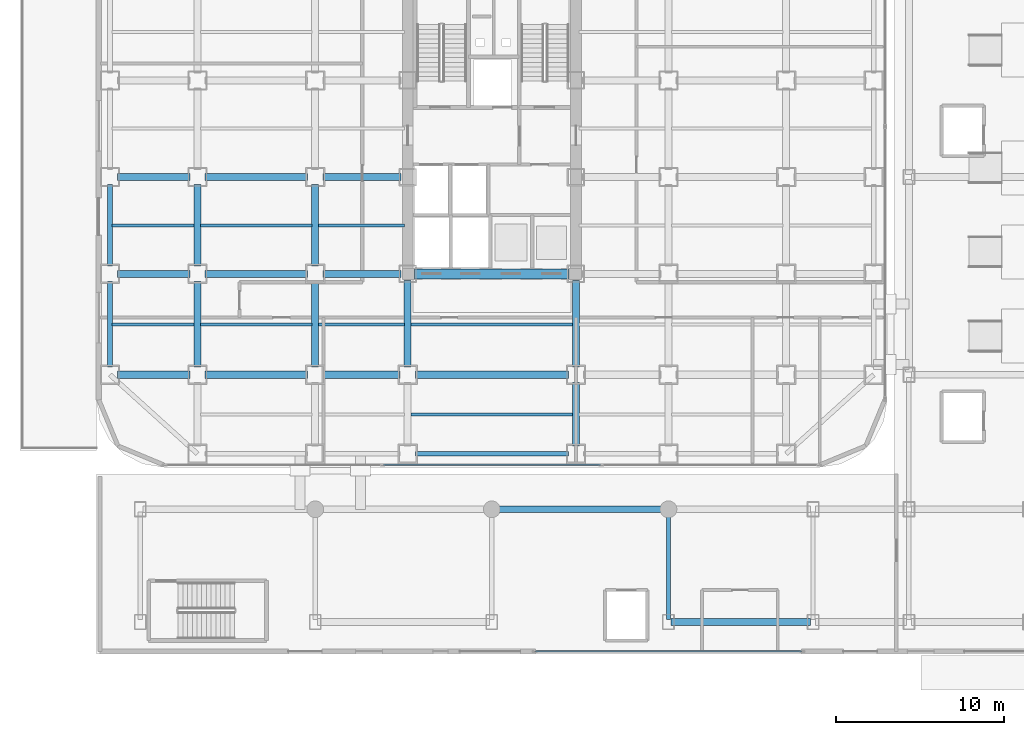
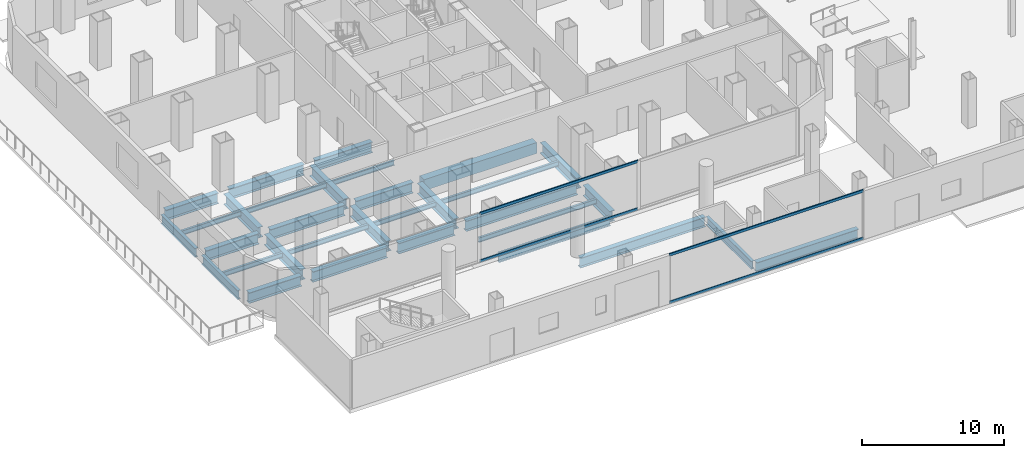
# One storey, part 7 of 31: 32 beams, 4 members, 2 elements without a shape of their own.
"""IFC4 building model written with IfcOpenShell, lengths in metres."""

from ifc_helpers import new_model, si_unit, direction, frame, origin, origin_2d, place, context, subcontext, project, spatial, rectangle, hollow_rectangle, i_section, extrude, source, transform, mapped, material, layer, layer_set, material_profile, profile_set, type_object, element, aggregate, save


model = new_model("IFC4")

# Units and contexts
model_context = context("Model", 3, precision=1e-05, world=origin(), true_north=direction((0.0, 1.0)))
body_context = subcontext(model_context, "Body", "Model", "MODEL_VIEW")
ifc_project = project(units=[si_unit("LENGTHUNIT", "METRE"), si_unit("AREAUNIT", "SQUARE_METRE"), si_unit("VOLUMEUNIT", "CUBIC_METRE"), si_unit("PLANEANGLEUNIT", "RADIAN"), si_unit("MASSUNIT", "GRAM", prefix="KILO")], contexts=[model_context])

# Site, building, storey
site_placement = place(None, origin())
site = spatial("IfcSite", under=ifc_project, at=site_placement, CompositionType="ELEMENT")
building_placement = place(site_placement, origin())
building = spatial("IfcBuilding", under=site, at=building_placement, Name="Kolveth Station Tower", CompositionType="ELEMENT")
storey_placement = place(building_placement, origin())
storey = spatial("IfcBuildingStorey", under=building, at=storey_placement, Name="L00", CompositionType="ELEMENT", Elevation=0.0)

# Beams
ifc_material_1 = material(Name="Steel S355", Category="steel")
ifc_material_profile_1 = material_profile(ifc_material_1, i_section(OverallWidth=0.26904296875, OverallDepth=0.77490234375, WebThickness=0.01708984375, FlangeThickness=0.0283203125, at=origin_2d()), Name="W760x220")
ifc_profile_set_1 = profile_set([ifc_material_profile_1], Name="Steel S355")
beam_type_1 = type_object("IfcBeamType", Name="Beam_SP1", PredefinedType="SPANDREL", material=ifc_profile_set_1)
shared_shape_1 = source(origin(), body_context, "Body", "SweptSolid", [
    extrude(i_section(OverallWidth=0.26904296875, OverallDepth=0.77490234375, WebThickness=0.01708984375, FlangeThickness=0.0283203125, at=origin_2d()), origin(), (0.0, 0.0, 1.0), 9.10009765625),
])
beam_1_placement = place(storey_placement, frame((18.949951171875, 0.800048828125, -0.70751953125), z_axis=(1.0, 0.0, 0.0), x_axis=(0.0, 1.0, 0.0)))
element("IfcBeam", 1, at=beam_1_placement, inside=storey, type_object=beam_type_1, Name="L00 Perimeter Spandrel BM-L00-PS-3", PredefinedType="SPANDREL", context=body_context, shape_type="MappedRepresentation", body=[
    mapped(shared_shape_1, transform((0.0, 0.0, 0.0), x_axis=(1.0, 0.0, 0.0), y_axis=(0.0, 1.0, 0.0), z_axis=(0.0, 0.0, 1.0), scale=1.0)),
])
shared_shape_2 = source(origin(), body_context, "Body", "SweptSolid", [
    extrude(i_section(OverallWidth=0.26904296875, OverallDepth=0.77490234375, WebThickness=0.01708984375, FlangeThickness=0.0283203125, at=origin_2d()), origin(), (0.0, 0.0, 1.0), 5.10009765625),
])
beam_2_placement = place(storey_placement, frame((0.800048828125, 5.949951171875, -0.70751953125), z_axis=(0.0, 1.0, 0.0), x_axis=(-1.0, 0.0, 0.0)))
element("IfcBeam", 2, at=beam_2_placement, inside=storey, type_object=beam_type_1, Name="L00 Perimeter Spandrel BM-L00-PW-1", PredefinedType="SPANDREL", context=body_context, shape_type="MappedRepresentation", body=[
    mapped(shared_shape_2, transform((0.0, 0.0, 0.0), x_axis=(1.0, 0.0, 0.0), y_axis=(0.0, 1.0, 0.0), z_axis=(0.0, 0.0, 1.0), scale=1.0)),
])
shared_shape_3 = source(origin(), body_context, "Body", "SweptSolid", [
    extrude(i_section(OverallWidth=0.26904296875, OverallDepth=0.77490234375, WebThickness=0.01708984375, FlangeThickness=0.0283203125, at=origin_2d()), origin(), (0.0, 0.0, 1.0), 4.85009765625),
])
beam_3_placement = place(storey_placement, frame((0.800048828125, 11.949951171875, -0.70751953125), z_axis=(0.0, 1.0, 0.0), x_axis=(-1.0, 0.0, 0.0)))
element("IfcBeam", 3, at=beam_3_placement, inside=storey, type_object=beam_type_1, Name="L00 Perimeter Spandrel BM-L00-PW-2", PredefinedType="SPANDREL", context=body_context, shape_type="MappedRepresentation", body=[
    mapped(shared_shape_3, transform((0.0, 0.0, 0.0), x_axis=(1.0, 0.0, 0.0), y_axis=(0.0, 1.0, 0.0), z_axis=(0.0, 0.0, 1.0), scale=1.0)),
])
ifc_material_profile_2 = material_profile(ifc_material_1, i_section(OverallWidth=0.41796875, OverallDepth=0.912109375, WebThickness=0.019287109375, FlangeThickness=0.031982421875, at=origin_2d()), Name="W920x342")
ifc_profile_set_2 = profile_set([ifc_material_profile_2], Name="Steel S355")
beam_type_2 = type_object("IfcBeamType", Name="Beam_B1", PredefinedType="BEAM", material=ifc_profile_set_2)
shared_shape_4 = source(origin(), body_context, "Body", "SweptSolid", [
    extrude(i_section(OverallWidth=0.41796875, OverallDepth=0.912109375, WebThickness=0.019287109375, FlangeThickness=0.031982421875, at=origin_2d()), origin(), (0.0, 0.0, 1.0), 4.300048828125),
])
for number, where, z_axis, x_axis, name in (
    (4, (1.25, 5.5, -0.77587890625), (1.0, 0.0, 0.0), (0.0, 1.0, 0.0), "L00 Primary Girder BM-L00-GY55-1"),
    (5, (1.25, 11.5, -0.77587890625), (1.0, 0.0, 0.0), (0.0, 1.0, 0.0), "L00 Primary Girder BM-L00-GY115-1"),
    (6, (1.25, 17.25, -0.77587890625), (1.0, 0.0, 0.0), (0.0, 1.0, 0.0), "L00 Primary Girder BM-L00-GY172-1"),
):
    element("IfcBeam", number, at=place(storey_placement, frame(where, z_axis=z_axis, x_axis=x_axis)), inside=storey, type_object=beam_type_2, Name=name, PredefinedType="BEAM", context=body_context, shape_type="MappedRepresentation", body=[
        mapped(shared_shape_4, transform((0.0, 0.0, 0.0), x_axis=(1.0, 0.0, 0.0), y_axis=(0.0, 1.0, 0.0), z_axis=(0.0, 0.0, 1.0), scale=1.0)),
    ])
shared_shape_5 = source(origin(), body_context, "Body", "SweptSolid", [
    extrude(i_section(OverallWidth=0.41796875, OverallDepth=0.912109375, WebThickness=0.019287109375, FlangeThickness=0.031982421875, at=origin_2d()), origin(), (0.0, 0.0, 1.0), 6.10009765625),
])
for number, where, z_axis, x_axis, name in (
    (7, (6.449951171875, 5.5, -0.77587890625), (1.0, 0.0, 0.0), (0.0, 1.0, 0.0), "L00 Primary Girder BM-L00-GY55-2"),
    (8, (6.449951171875, 11.5, -0.77587890625), (1.0, 0.0, 0.0), (0.0, 1.0, 0.0), "L00 Primary Girder BM-L00-GY115-2"),
    (9, (6.449951171875, 17.25, -0.77587890625), (1.0, 0.0, 0.0), (0.0, 1.0, 0.0), "L00 Primary Girder BM-L00-GY172-2"),
):
    element("IfcBeam", number, at=place(storey_placement, frame(where, z_axis=z_axis, x_axis=x_axis)), inside=storey, type_object=beam_type_2, Name=name, PredefinedType="BEAM", context=body_context, shape_type="MappedRepresentation", body=[
        mapped(shared_shape_5, transform((0.0, 0.0, 0.0), x_axis=(1.0, 0.0, 0.0), y_axis=(0.0, 1.0, 0.0), z_axis=(0.0, 0.0, 1.0), scale=1.0)),
    ])
shared_shape_6 = source(origin(), body_context, "Body", "SweptSolid", [
    extrude(i_section(OverallWidth=0.41796875, OverallDepth=0.912109375, WebThickness=0.019287109375, FlangeThickness=0.031982421875, at=origin_2d()), origin(), (0.0, 0.0, 1.0), 4.60009765625),
])
beam_4_placement = place(storey_placement, frame((13.449951171875, 5.5, -0.77587890625), z_axis=(1.0, 0.0, 0.0), x_axis=(0.0, 1.0, 0.0)))
element("IfcBeam", 10, at=beam_4_placement, inside=storey, type_object=beam_type_2, Name="L00 Primary Girder BM-L00-GY55-3", PredefinedType="BEAM", context=body_context, shape_type="MappedRepresentation", body=[
    mapped(shared_shape_6, transform((0.0, 0.0, 0.0), x_axis=(1.0, 0.0, 0.0), y_axis=(0.0, 1.0, 0.0), z_axis=(0.0, 0.0, 1.0), scale=1.0)),
])
shared_shape_7 = source(origin(), body_context, "Body", "SweptSolid", [
    extrude(i_section(OverallWidth=0.41796875, OverallDepth=0.912109375, WebThickness=0.019287109375, FlangeThickness=0.031982421875, at=origin_2d()), origin(), (0.0, 0.0, 1.0), 9.10009765625),
])
beam_5_placement = place(storey_placement, frame((18.949951171875, 5.5, -0.77587890625), z_axis=(1.0, 0.0, 0.0), x_axis=(0.0, 1.0, 0.0)))
element("IfcBeam", 11, at=beam_5_placement, inside=storey, type_object=beam_type_2, Name="L00 Primary Girder BM-L00-GY55-4", PredefinedType="BEAM", context=body_context, shape_type="MappedRepresentation", body=[
    mapped(shared_shape_7, transform((0.0, 0.0, 0.0), x_axis=(1.0, 0.0, 0.0), y_axis=(0.0, 1.0, 0.0), z_axis=(0.0, 0.0, 1.0), scale=1.0)),
])
shared_shape_8 = source(origin(), body_context, "Body", "SweptSolid", [
    extrude(i_section(OverallWidth=0.41796875, OverallDepth=0.912109375, WebThickness=0.019287109375, FlangeThickness=0.031982421875, at=origin_2d()), origin(), (0.0, 0.0, 1.0), 4.650146484375),
])
for number, where, z_axis, x_axis, name in (
    (12, (13.449951171875, 11.5, -0.77587890625), (1.0, 0.0, 0.0), (0.0, 1.0, 0.0), "L00 Primary Girder BM-L00-GY115-3"),
    (13, (13.449951171875, 17.25, -0.77587890625), (1.0, 0.0, 0.0), (0.0, 1.0, 0.0), "L00 Primary Girder BM-L00-GY172-3"),
):
    element("IfcBeam", number, at=place(storey_placement, frame(where, z_axis=z_axis, x_axis=x_axis)), inside=storey, type_object=beam_type_2, Name=name, PredefinedType="BEAM", context=body_context, shape_type="MappedRepresentation", body=[
        mapped(shared_shape_8, transform((0.0, 0.0, 0.0), x_axis=(1.0, 0.0, 0.0), y_axis=(0.0, 1.0, 0.0), z_axis=(0.0, 0.0, 1.0), scale=1.0)),
    ])
ifc_material_2 = material(Name="Concrete C60/75", Category="concrete")
ifc_material_profile_3 = material_profile(ifc_material_2, rectangle(XDim=0.60009765625, YDim=0.949951171875, at=origin_2d()), Name="RC-600x950")
ifc_profile_set_3 = profile_set([ifc_material_profile_3], Name="Concrete C60/75")
beam_type_3 = type_object("IfcBeamType", Name="Beam_CB1", PredefinedType="BEAM", material=ifc_profile_set_3)
shared_shape_9 = source(origin(), body_context, "Body", "SweptSolid", [
    extrude(rectangle(XDim=0.60009765625, YDim=0.949951171875, at=origin_2d()), origin(), (0.0, 0.0, 1.0), 9.2001953125),
])
beam_6_placement = place(storey_placement, frame((18.89990234375, 11.5, -0.794921875), z_axis=(1.0, 0.0, 0.0), x_axis=(0.0, 1.0, 0.0)))
element("IfcBeam", 14, at=beam_6_placement, inside=storey, type_object=beam_type_3, Name="L00 Core Coupling Beam BM-L00-CB-Y115", PredefinedType="BEAM", context=body_context, shape_type="MappedRepresentation", body=[
    mapped(shared_shape_9, transform((0.0, 0.0, 0.0), x_axis=(1.0, 0.0, 0.0), y_axis=(0.0, 1.0, 0.0), z_axis=(0.0, 0.0, 1.0), scale=1.0)),
])
shared_shape_10 = source(origin(), body_context, "Body", "SweptSolid", [
    extrude(i_section(OverallWidth=0.41796875, OverallDepth=0.912109375, WebThickness=0.019287109375, FlangeThickness=0.031982421875, at=origin_2d()), origin(), (0.0, 0.0, 1.0), 3.800048828125),
])
beam_7_placement = place(storey_placement, frame((28.5, 1.25, -0.77587890625), z_axis=(0.0, 1.0, 0.0), x_axis=(-1.0, 0.0, 0.0)))
element("IfcBeam", 15, at=beam_7_placement, inside=storey, type_object=beam_type_2, Name="L00 Primary Girder BM-L00-GX285-1", PredefinedType="BEAM", context=body_context, shape_type="MappedRepresentation", body=[
    mapped(shared_shape_10, transform((0.0, 0.0, 0.0), x_axis=(1.0, 0.0, 0.0), y_axis=(0.0, 1.0, 0.0), z_axis=(0.0, 0.0, 1.0), scale=1.0)),
])
shared_shape_11 = source(origin(), body_context, "Body", "SweptSolid", [
    extrude(i_section(OverallWidth=0.41796875, OverallDepth=0.912109375, WebThickness=0.019287109375, FlangeThickness=0.031982421875, at=origin_2d()), origin(), (0.0, 0.0, 1.0), 5.10009765625),
])
for number, where, z_axis, x_axis, name in (
    (16, (6.0, 5.949951171875, -0.77587890625), (0.0, 1.0, 0.0), (-1.0, 0.0, 0.0), "L00 Primary Girder BM-L00-GX60-2"),
    (17, (13.0, 5.949951171875, -0.77587890625), (0.0, 1.0, 0.0), (-1.0, 0.0, 0.0), "L00 Primary Girder BM-L00-GX130-2"),
):
    element("IfcBeam", number, at=place(storey_placement, frame(where, z_axis=z_axis, x_axis=x_axis)), inside=storey, type_object=beam_type_2, Name=name, PredefinedType="BEAM", context=body_context, shape_type="MappedRepresentation", body=[
        mapped(shared_shape_11, transform((0.0, 0.0, 0.0), x_axis=(1.0, 0.0, 0.0), y_axis=(0.0, 1.0, 0.0), z_axis=(0.0, 0.0, 1.0), scale=1.0)),
    ])
shared_shape_12 = source(origin(), body_context, "Body", "SweptSolid", [
    extrude(i_section(OverallWidth=0.41796875, OverallDepth=0.912109375, WebThickness=0.019287109375, FlangeThickness=0.031982421875, at=origin_2d()), origin(), (0.0, 0.0, 1.0), 4.85009765625),
])
for number, where, z_axis, x_axis, name in (
    (18, (6.0, 11.949951171875, -0.77587890625), (0.0, 1.0, 0.0), (-1.0, 0.0, 0.0), "L00 Primary Girder BM-L00-GX60-3"),
    (19, (13.0, 11.949951171875, -0.77587890625), (0.0, 1.0, 0.0), (-1.0, 0.0, 0.0), "L00 Primary Girder BM-L00-GX130-3"),
):
    element("IfcBeam", number, at=place(storey_placement, frame(where, z_axis=z_axis, x_axis=x_axis)), inside=storey, type_object=beam_type_2, Name=name, PredefinedType="BEAM", context=body_context, shape_type="MappedRepresentation", body=[
        mapped(shared_shape_12, transform((0.0, 0.0, 0.0), x_axis=(1.0, 0.0, 0.0), y_axis=(0.0, 1.0, 0.0), z_axis=(0.0, 0.0, 1.0), scale=1.0)),
    ])
shared_shape_13 = source(origin(), body_context, "Body", "SweptSolid", [
    extrude(i_section(OverallWidth=0.41796875, OverallDepth=0.912109375, WebThickness=0.019287109375, FlangeThickness=0.031982421875, at=origin_2d()), origin(), (0.0, 0.0, 1.0), 5.150146484375),
])
for number, where, z_axis, x_axis, name in (
    (20, (18.5, 5.949951171875, -0.77587890625), (0.0, 1.0, 0.0), (-1.0, 0.0, 0.0), "L00 Primary Girder BM-L00-GX185-2"),
    (21, (28.5, 5.949951171875, -0.77587890625), (0.0, 1.0, 0.0), (-1.0, 0.0, 0.0), "L00 Primary Girder BM-L00-GX285-2"),
):
    element("IfcBeam", number, at=place(storey_placement, frame(where, z_axis=z_axis, x_axis=x_axis)), inside=storey, type_object=beam_type_2, Name=name, PredefinedType="BEAM", context=body_context, shape_type="MappedRepresentation", body=[
        mapped(shared_shape_13, transform((0.0, 0.0, 0.0), x_axis=(1.0, 0.0, 0.0), y_axis=(0.0, 1.0, 0.0), z_axis=(0.0, 0.0, 1.0), scale=1.0)),
    ])
ifc_material_profile_4 = material_profile(ifc_material_1, i_section(OverallWidth=0.177978515625, OverallDepth=0.406982421875, WebThickness=0.0078125, FlangeThickness=0.0126953125, at=origin_2d()), Name="W410x60")
ifc_profile_set_4 = profile_set([ifc_material_profile_4], Name="Steel S355")
beam_type_4 = type_object("IfcBeamType", Name="Beam_J1", PredefinedType="JOIST", material=ifc_profile_set_4)
shared_shape_14 = source(origin(), body_context, "Body", "SweptSolid", [
    extrude(i_section(OverallWidth=0.177978515625, OverallDepth=0.406982421875, WebThickness=0.0078125, FlangeThickness=0.0126953125, at=origin_2d()), origin(), (0.0, 0.0, 1.0), 4.872314453125),
])
for number, where, z_axis, x_axis, name in (
    (22, (0.9326171875, 8.5, -0.5234375), (1.0, 0.0, 0.0), (0.0, 1.0, 0.0), "L00 Secondary Joist JST-L00-1-2"),
    (23, (0.9326171875, 14.375, -0.5234375), (1.0, 0.0, 0.0), (0.0, 1.0, 0.0), "L00 Secondary Joist JST-L00-1-3"),
):
    element("IfcBeam", number, at=place(storey_placement, frame(where, z_axis=z_axis, x_axis=x_axis)), inside=storey, type_object=beam_type_4, Name=name, PredefinedType="JOIST", context=body_context, shape_type="MappedRepresentation", body=[
        mapped(shared_shape_14, transform((0.0, 0.0, 0.0), x_axis=(1.0, 0.0, 0.0), y_axis=(0.0, 1.0, 0.0), z_axis=(0.0, 0.0, 1.0), scale=1.0)),
    ])
shared_shape_15 = source(origin(), body_context, "Body", "SweptSolid", [
    extrude(i_section(OverallWidth=0.177978515625, OverallDepth=0.406982421875, WebThickness=0.0078125, FlangeThickness=0.0126953125, at=origin_2d()), origin(), (0.0, 0.0, 1.0), 6.60986328125),
])
for number, where, z_axis, x_axis, name in (
    (24, (6.195068359375, 8.5, -0.5234375), (1.0, 0.0, 0.0), (0.0, 1.0, 0.0), "L00 Secondary Joist JST-L00-2-2"),
    (25, (6.195068359375, 14.375, -0.5234375), (1.0, 0.0, 0.0), (0.0, 1.0, 0.0), "L00 Secondary Joist JST-L00-2-3"),
):
    element("IfcBeam", number, at=place(storey_placement, frame(where, z_axis=z_axis, x_axis=x_axis)), inside=storey, type_object=beam_type_4, Name=name, PredefinedType="JOIST", context=body_context, shape_type="MappedRepresentation", body=[
        mapped(shared_shape_15, transform((0.0, 0.0, 0.0), x_axis=(1.0, 0.0, 0.0), y_axis=(0.0, 1.0, 0.0), z_axis=(0.0, 0.0, 1.0), scale=1.0)),
    ])
shared_shape_16 = source(origin(), body_context, "Body", "SweptSolid", [
    extrude(i_section(OverallWidth=0.177978515625, OverallDepth=0.406982421875, WebThickness=0.0078125, FlangeThickness=0.0126953125, at=origin_2d()), origin(), (0.0, 0.0, 1.0), 5.10986328125),
])
for number, where, z_axis, x_axis, name in (
    (26, (13.195068359375, 8.5, -0.5234375), (1.0, 0.0, 0.0), (0.0, 1.0, 0.0), "L00 Secondary Joist JST-L00-3-2"),
    (27, (13.195068359375, 14.375, -0.5234375), (1.0, 0.0, 0.0), (0.0, 1.0, 0.0), "L00 Secondary Joist JST-L00-3-3"),
):
    element("IfcBeam", number, at=place(storey_placement, frame(where, z_axis=z_axis, x_axis=x_axis)), inside=storey, type_object=beam_type_4, Name=name, PredefinedType="JOIST", context=body_context, shape_type="MappedRepresentation", body=[
        mapped(shared_shape_16, transform((0.0, 0.0, 0.0), x_axis=(1.0, 0.0, 0.0), y_axis=(0.0, 1.0, 0.0), z_axis=(0.0, 0.0, 1.0), scale=1.0)),
    ])
shared_shape_17 = source(origin(), body_context, "Body", "SweptSolid", [
    extrude(i_section(OverallWidth=0.177978515625, OverallDepth=0.406982421875, WebThickness=0.0078125, FlangeThickness=0.0126953125, at=origin_2d()), origin(), (0.0, 0.0, 1.0), 9.60986328125),
])
for number, where, z_axis, x_axis, name in (
    (28, (18.695068359375, 3.14990234375, -0.5234375), (1.0, 0.0, 0.0), (0.0, 1.0, 0.0), "L00 Secondary Joist JST-L00-4-1"),
    (29, (18.695068359375, 8.5, -0.5234375), (1.0, 0.0, 0.0), (0.0, 1.0, 0.0), "L00 Secondary Joist JST-L00-4-2"),
):
    element("IfcBeam", number, at=place(storey_placement, frame(where, z_axis=z_axis, x_axis=x_axis)), inside=storey, type_object=beam_type_4, Name=name, PredefinedType="JOIST", context=body_context, shape_type="MappedRepresentation", body=[
        mapped(shared_shape_17, transform((0.0, 0.0, 0.0), x_axis=(1.0, 0.0, 0.0), y_axis=(0.0, 1.0, 0.0), z_axis=(0.0, 0.0, 1.0), scale=1.0)),
    ])
ifc_material_profile_5 = material_profile(ifc_material_1, i_section(OverallWidth=0.40087890625, OverallDepth=0.85107421875, WebThickness=0.01611328125, FlangeThickness=0.025390625, at=origin_2d()), Name="W840x226")
ifc_profile_set_5 = profile_set([ifc_material_profile_5], Name="Steel S355")
beam_type_5 = type_object("IfcBeamType", Name="Beam_B2", PredefinedType="BEAM", material=ifc_profile_set_5)
shared_shape_18 = source(origin(), body_context, "Body", "SweptSolid", [
    extrude(i_section(OverallWidth=0.40087890625, OverallDepth=0.85107421875, WebThickness=0.01611328125, FlangeThickness=0.025390625, at=origin_2d()), origin(), (0.0, 0.0, 1.0), 10.2001953125),
])
beam_8_placement = place(storey_placement, frame((23.64990234375, -2.5, -0.74560546875), z_axis=(1.0, 0.0, 0.0), x_axis=(0.0, 1.0, 0.0)))
element("IfcBeam", 30, at=beam_8_placement, inside=storey, type_object=beam_type_5, Name="L00 Station Concourse Girder SBM-L00-SL2-3", PredefinedType="BEAM", context=body_context, shape_type="MappedRepresentation", body=[
    mapped(shared_shape_18, transform((0.0, 0.0, 0.0), x_axis=(1.0, 0.0, 0.0), y_axis=(0.0, 1.0, 0.0), z_axis=(0.0, 0.0, 1.0), scale=1.0)),
])
shared_shape_19 = source(origin(), body_context, "Body", "SweptSolid", [
    extrude(i_section(OverallWidth=0.40087890625, OverallDepth=0.85107421875, WebThickness=0.01611328125, FlangeThickness=0.025390625, at=origin_2d()), origin(), (0.0, 0.0, 1.0), 8.300048828125),
])
beam_9_placement = place(storey_placement, frame((34.14990234375, -9.199951171875, -0.74560546875), z_axis=(1.0, 0.0, 0.0), x_axis=(0.0, 1.0, 0.0)))
element("IfcBeam", 31, at=beam_9_placement, inside=storey, type_object=beam_type_5, Name="L00 Station Concourse Girder SBM-L00-SL1-4", PredefinedType="BEAM", context=body_context, shape_type="MappedRepresentation", body=[
    mapped(shared_shape_19, transform((0.0, 0.0, 0.0), x_axis=(1.0, 0.0, 0.0), y_axis=(0.0, 1.0, 0.0), z_axis=(0.0, 0.0, 1.0), scale=1.0)),
])
ifc_material_profile_6 = material_profile(ifc_material_1, i_section(OverallWidth=0.25390625, OverallDepth=0.68798828125, WebThickness=0.01318359375, FlangeThickness=0.02099609375, at=origin_2d()), Name="W690x152")
ifc_profile_set_6 = profile_set([ifc_material_profile_6], Name="Steel S355")
beam_type_6 = type_object("IfcBeamType", Name="Beam_B4", PredefinedType="BEAM", material=ifc_profile_set_6)
shared_shape_20 = source(origin(), body_context, "Body", "SweptSolid", [
    extrude(i_section(OverallWidth=0.25390625, OverallDepth=0.68798828125, WebThickness=0.01318359375, FlangeThickness=0.02099609375, at=origin_2d()), origin(), (0.0, 0.0, 1.0), 6.400146484375),
])
beam_10_placement = place(storey_placement, frame((34.0, -9.050048828125, -0.6640625), z_axis=(0.0, 1.0, 0.0), x_axis=(-1.0, 0.0, 0.0)))
element("IfcBeam", 32, at=beam_10_placement, inside=storey, type_object=beam_type_6, Name="L00 Station Transverse Beam SBM-L00-ST-4", PredefinedType="BEAM", context=body_context, shape_type="MappedRepresentation", body=[
    mapped(shared_shape_20, transform((0.0, 0.0, 0.0), x_axis=(1.0, 0.0, 0.0), y_axis=(0.0, 1.0, 0.0), z_axis=(0.0, 0.0, 1.0), scale=1.0)),
])

# Curtain wall, members
ifc_material_3 = material(Name="Black anodized aluminium 6063-T6 and clear station glass", Category="aluminium")
ifc_layer = layer(ifc_material_3, 0.239990234375)
ifc_layer_set = layer_set([ifc_layer], Name="Black anodized aluminium 6063-T6 and clear station glass")
curtain_wall_type = type_object("IfcCurtainWallType", Name="CurtainWall_CW-ST", PredefinedType="NOTDEFINED", material=ifc_layer_set)
curtain_wall_1_placement = place(storey_placement, origin())
curtain_wall_1 = element("IfcCurtainWall", 33, at=curtain_wall_1_placement, inside=storey, type_object=curtain_wall_type, Name="L00 Tower Podium South Storefront Curtain Wall", PredefinedType="NOTDEFINED")
ifc_material_4 = material(Name="Black anodized aluminium 6063-T6", Category="aluminium")
ifc_material_profile_7 = material_profile(ifc_material_4, hollow_rectangle(XDim=0.094970703125, YDim=0.219970703125, WallThickness=0.0048828125, at=origin_2d()), Name="ALU-95x220x5")
ifc_profile_set_7 = profile_set([ifc_material_profile_7], Name="Black anodized aluminium 6063-T6")
member_type = type_object("IfcMemberType", Name="Transom_TR-ST", PredefinedType="USERDEFINED", material=ifc_profile_set_7)
shared_shape_21 = source(origin(), body_context, "Body", "SweptSolid", [
    extrude(hollow_rectangle(XDim=0.094970703125, YDim=0.219970703125, WallThickness=0.0048828125, at=origin_2d()), origin(), (0.0, 0.0, 1.0), 12.89990234375),
])
member_1_placement = place(storey_placement, frame((17.050048828125, 0.139892578125, 0.047607421875), z_axis=(1.0, 0.0, 0.0), x_axis=(0.0, 1.0, 0.0)))
member_1 = element("IfcMember", 34, at=member_1_placement, type_object=member_type, Name="CW-ST transom 2.1", ObjectType="TRANSOM", PredefinedType="USERDEFINED", context=body_context, shape_type="MappedRepresentation", body=[
    mapped(shared_shape_21, transform((0.0, 0.0, 0.0), x_axis=(1.0, 0.0, 0.0), y_axis=(0.0, 1.0, 0.0), z_axis=(0.0, 0.0, 1.0), scale=1.0)),
])
member_2_placement = place(storey_placement, frame((17.050048828125, 0.139892578125, 4.132568359375), z_axis=(1.0, 0.0, 0.0), x_axis=(0.0, 1.0, 0.0)))
member_2 = element("IfcMember", 35, at=member_2_placement, type_object=member_type, Name="CW-ST transom 2.2", ObjectType="TRANSOM", PredefinedType="USERDEFINED", context=body_context, shape_type="MappedRepresentation", body=[
    mapped(shared_shape_21, transform((0.0, 0.0, 0.0), x_axis=(1.0, 0.0, 0.0), y_axis=(0.0, 1.0, 0.0), z_axis=(0.0, 0.0, 1.0), scale=1.0)),
])
aggregate(curtain_wall_1, [member_1, member_2])

curtain_wall_2_placement = place(storey_placement, origin())
curtain_wall_2 = element("IfcCurtainWall", 36, at=curtain_wall_2_placement, inside=storey, type_object=curtain_wall_type, Name="L00 Station South Concourse Curtain Wall", PredefinedType="NOTDEFINED")
shared_shape_22 = source(origin(), body_context, "Body", "SweptSolid", [
    extrude(hollow_rectangle(XDim=0.094970703125, YDim=0.219970703125, WallThickness=0.0048828125, at=origin_2d()), origin(), (0.0, 0.0, 1.0), 15.7998046875),
])
member_3_placement = place(storey_placement, frame((26.10009765625, -10.949951171875, 0.047607421875), z_axis=(1.0, 0.0, 0.0), x_axis=(0.0, 1.0, 0.0)))
member_3 = element("IfcMember", 37, at=member_3_placement, type_object=member_type, Name="CW-ST transom 1.1", ObjectType="TRANSOM", PredefinedType="USERDEFINED", context=body_context, shape_type="MappedRepresentation", body=[
    mapped(shared_shape_22, transform((0.0, 0.0, 0.0), x_axis=(1.0, 0.0, 0.0), y_axis=(0.0, 1.0, 0.0), z_axis=(0.0, 0.0, 1.0), scale=1.0)),
])
member_4_placement = place(storey_placement, frame((26.10009765625, -10.949951171875, 4.132568359375), z_axis=(1.0, 0.0, 0.0), x_axis=(0.0, 1.0, 0.0)))
member_4 = element("IfcMember", 38, at=member_4_placement, type_object=member_type, Name="CW-ST transom 1.2", ObjectType="TRANSOM", PredefinedType="USERDEFINED", context=body_context, shape_type="MappedRepresentation", body=[
    mapped(shared_shape_22, transform((0.0, 0.0, 0.0), x_axis=(1.0, 0.0, 0.0), y_axis=(0.0, 1.0, 0.0), z_axis=(0.0, 0.0, 1.0), scale=1.0)),
])
aggregate(curtain_wall_2, [member_3, member_4])

save(model, "model.ifc")
